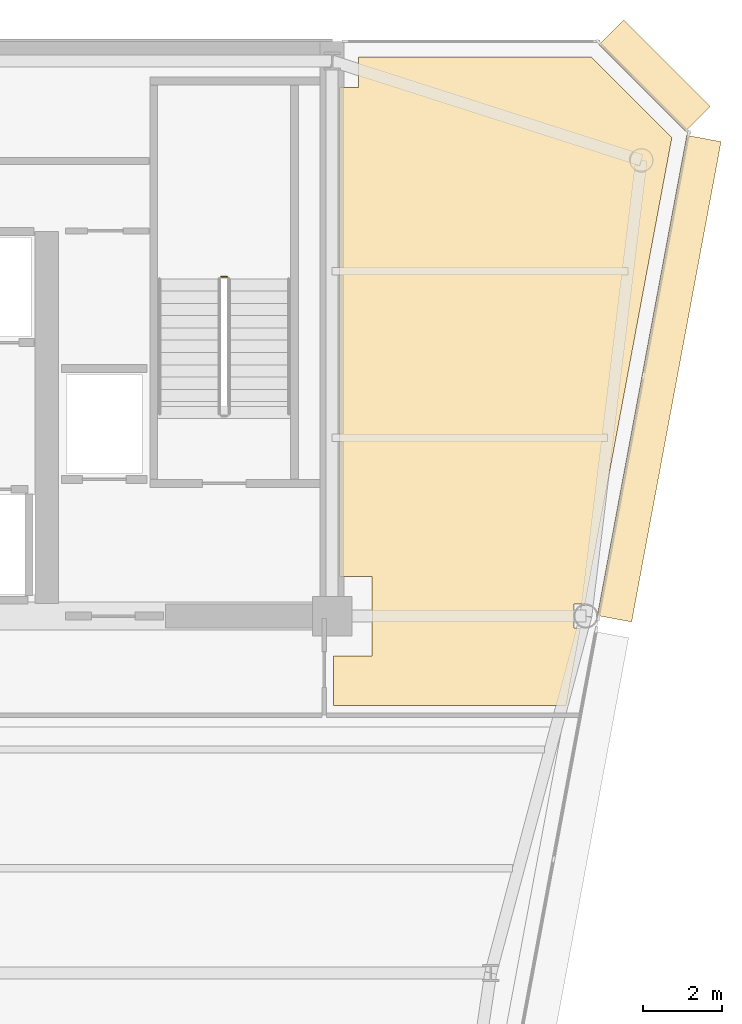
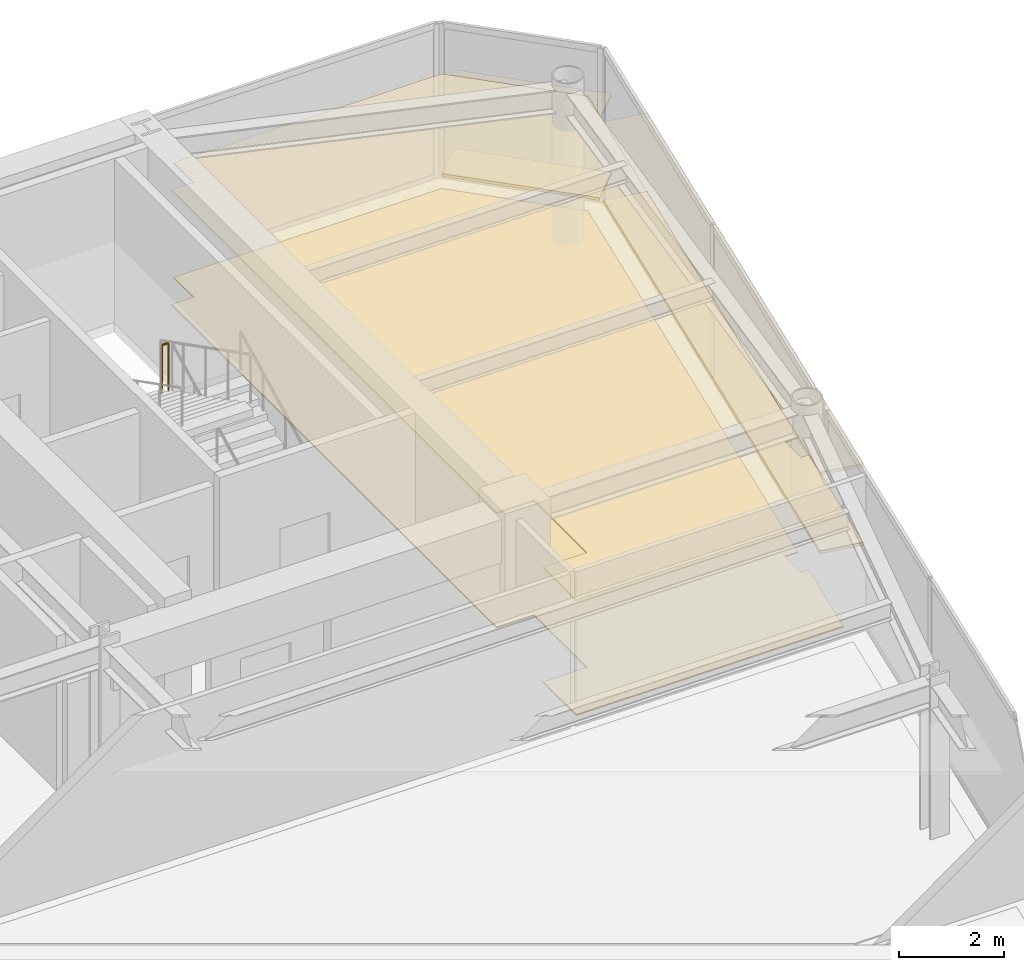
# One storey, part 18 of 18: 6 coverings, 1 railing.
"""IFC4 building model written with IfcOpenShell, lengths in metres."""

from ifc_helpers import new_model, si_unit, direction, frame, origin, origin_2d, place, context, subcontext, project, spatial, polyline, rectangle, circle, outline, extrude, source, transform, mapped, material, layer, layer_set, type_object, element, save


model = new_model("IFC4")

# Units and contexts
model_context = context("Model", 3, precision=1e-05, world=origin(), true_north=direction((0.0, 1.0)))
body_context = subcontext(model_context, "Body", "Model", "MODEL_VIEW")
ifc_project = project(units=[si_unit("LENGTHUNIT", "METRE"), si_unit("AREAUNIT", "SQUARE_METRE"), si_unit("VOLUMEUNIT", "CUBIC_METRE"), si_unit("PLANEANGLEUNIT", "RADIAN"), si_unit("MASSUNIT", "GRAM", prefix="KILO")], contexts=[model_context])

# Site, building, storey
site_placement = place(None, origin())
site = spatial("IfcSite", under=ifc_project, at=site_placement, CompositionType="ELEMENT")
building_placement = place(site_placement, origin())
building = spatial("IfcBuilding", under=site, at=building_placement, Name="Vaeldorn Concourse Tower", CompositionType="ELEMENT")
storey_placement = place(building_placement, frame((0.0, 0.0, 242.199951171875)))
storey = spatial("IfcBuildingStorey", under=building, at=storey_placement, Name="L62", CompositionType="ELEMENT", Elevation=242.199951171875)

# Coverings
ifc_material_1 = material(Name="Acoustic Mineral Fibre Board", Category="gypsum")
ifc_layer_1 = layer(ifc_material_1, 0.0400390625)
ifc_layer_set_1 = layer_set([ifc_layer_1], Name="Acoustic Mineral Fibre Board")
covering_type_1 = type_object("IfcCoveringType", Name="COV-CEIL-ACOUSTIC", PredefinedType="CEILING", material=ifc_layer_set_1)
covering_1_placement = place(storey_placement, frame((0.0, 0.0, 2.650146484375)))
element("IfcCovering", 1, at=covering_1_placement, inside=storey, type_object=covering_type_1, Name="Suspended Acoustic Ceiling L62-4", PredefinedType="CEILING", context=body_context, shape_type="SweptSolid", body=[
    extrude(outline(polyline([(54.179931640625, 49.840087890625), (54.659912109375, 49.840087890625), (54.659912109375, 50.60009765625), (60.5341796875, 50.60009765625), (62.568115234375, 48.566162109375), (60.378173828125, 36.804931640625), (60.094970703125, 36.804931640625), (60.094970703125, 36.195068359375), (60.2646484375, 36.195068359375), (59.900634765625, 34.239990234375), (54.0400390625, 34.239990234375), (54.0400390625, 35.5), (55.0, 35.5), (55.0, 37.5), (54.179931640625, 37.5), (54.179931640625, 49.840087890625)])), origin(), (0.0, 0.0, 1.0), 0.039794921875),
])
ifc_material_2 = material(Name="Honed Limestone Terrazzo Flooring", Category="masonry")
ifc_layer_2 = layer(ifc_material_2, 0.0400390625)
ifc_layer_set_2 = layer_set([ifc_layer_2], Name="Honed Limestone Terrazzo Flooring")
covering_type_2 = type_object("IfcCoveringType", Name="COV-FLOOR-STONE", PredefinedType="FLOORING", material=ifc_layer_set_2)
covering_2_placement = place(storey_placement, origin())
element("IfcCovering", 2, at=covering_2_placement, inside=storey, type_object=covering_type_2, Name="Floor Finish Covering L62-4", PredefinedType="FLOORING", context=body_context, shape_type="SweptSolid", body=[
    extrude(outline(polyline([(54.179931640625, 49.840087890625), (54.659912109375, 49.840087890625), (54.659912109375, 50.60009765625), (60.5341796875, 50.60009765625), (62.568115234375, 48.566162109375), (60.378173828125, 36.804931640625), (60.094970703125, 36.804931640625), (60.094970703125, 36.195068359375), (60.2646484375, 36.195068359375), (59.900634765625, 34.239990234375), (54.0400390625, 34.239990234375), (54.0400390625, 35.5), (55.0, 35.5), (55.0, 37.5), (54.179931640625, 37.5), (54.179931640625, 49.840087890625)])), origin(), (0.0, 0.0, 1.0), 0.030029296875),
])

# Railing
ifc_material_3 = material(Name="Anodised Bronze Aluminium", Category="aluminium")
railing_type = type_object("IfcRailingType", Name="RL-STAIR-GUARD", PredefinedType="GUARDRAIL", material=ifc_material_3)
railing_placement = place(storey_placement, frame((51.35009765625, 45.06005859375, 1.900146484375)))
element("IfcRailing", 3, at=railing_placement, inside=storey, type_object=railing_type, Name="L62 ST-2 stair guard 2", PredefinedType="GUARDRAIL", context=body_context, shape_type="SweptSolid", body=[
    extrude(circle(Radius=0.02392578125, at=origin_2d()), frame((0.0, 0.0, 1.1259765625), z_axis=(-1.0, 0.0, 0.0), x_axis=(0.0, -1.0, 0.0)), (0.0, 0.0, 1.0), 0.150146484375),
    extrude(circle(Radius=0.02099609375, at=origin_2d()), origin(), (0.0, 0.0, 1.0), 1.101806640625),
    extrude(circle(Radius=0.02099609375, at=origin_2d()), frame((-0.150146484375, 0.0, 0.0)), (0.0, 0.0, 1.0), 1.101806640625),
])

# Coverings
ifc_layer_3 = layer(ifc_material_3, 0.06494140625)
ifc_layer_set_3 = layer_set([ifc_layer_3], Name="Anodised Bronze Aluminium")
covering_type_3 = type_object("IfcCoveringType", Name="SD-BRONZE-SUNSHADE", PredefinedType="USERDEFINED", material=ifc_layer_set_3)
shared_shape_1 = source(origin(), body_context, "Body", "SweptSolid", [
    extrude(rectangle(XDim=3.0927734375, YDim=0.8798828125, at=origin_2d()), origin(), (0.0, 0.0, 1.0), 0.06494140625),
])
for number, where, z_axis, x_axis, name in (
    (4, (62.1328125, 50.1328125, 0.047607421875), (0.0, 0.0, 1.0), (-0.707106781187, 0.707106781187, 0.0), "Horizontal Bronze Sunshade L62-E08.1.1"),
    (5, (62.1328125, 50.1328125, 1.86767578125), (0.0, 0.0, 1.0), (-0.707106781187, 0.707106781187, 0.0), "Horizontal Bronze Sunshade L62-E08.1.2"),
):
    element("IfcCovering", number, at=place(storey_placement, frame(where, z_axis=z_axis, x_axis=x_axis)), inside=storey, type_object=covering_type_3, Name=name, ObjectType="SUNSHADE", PredefinedType="USERDEFINED", context=body_context, shape_type="MappedRepresentation", body=[
        mapped(shared_shape_1, transform((0.0, 0.0, 0.0), scale=1.0)),
    ])
shared_shape_2 = source(origin(), body_context, "Body", "SweptSolid", [
    extrude(rectangle(XDim=12.322509765625, YDim=0.8798828125, at=origin_2d()), origin(), (0.0, 0.0, 1.0), 0.06494140625),
])
for number, where, z_axis, x_axis, name in (
    (6, (62.250732421875, 42.490966796875, 0.047607421875), (0.0, 0.0, 1.0), (0.183059191151, 0.983101893262, 0.0), "Horizontal Bronze Sunshade L62-E07.2.1"),
    (7, (62.250732421875, 42.490966796875, 1.86767578125), (0.0, 0.0, 1.0), (0.183059191151, 0.983101893262, 0.0), "Horizontal Bronze Sunshade L62-E07.2.2"),
):
    element("IfcCovering", number, at=place(storey_placement, frame(where, z_axis=z_axis, x_axis=x_axis)), inside=storey, type_object=covering_type_3, Name=name, ObjectType="SUNSHADE", PredefinedType="USERDEFINED", context=body_context, shape_type="MappedRepresentation", body=[
        mapped(shared_shape_2, transform((0.0, 0.0, 0.0), scale=1.0)),
    ])

save(model, "model.ifc")
